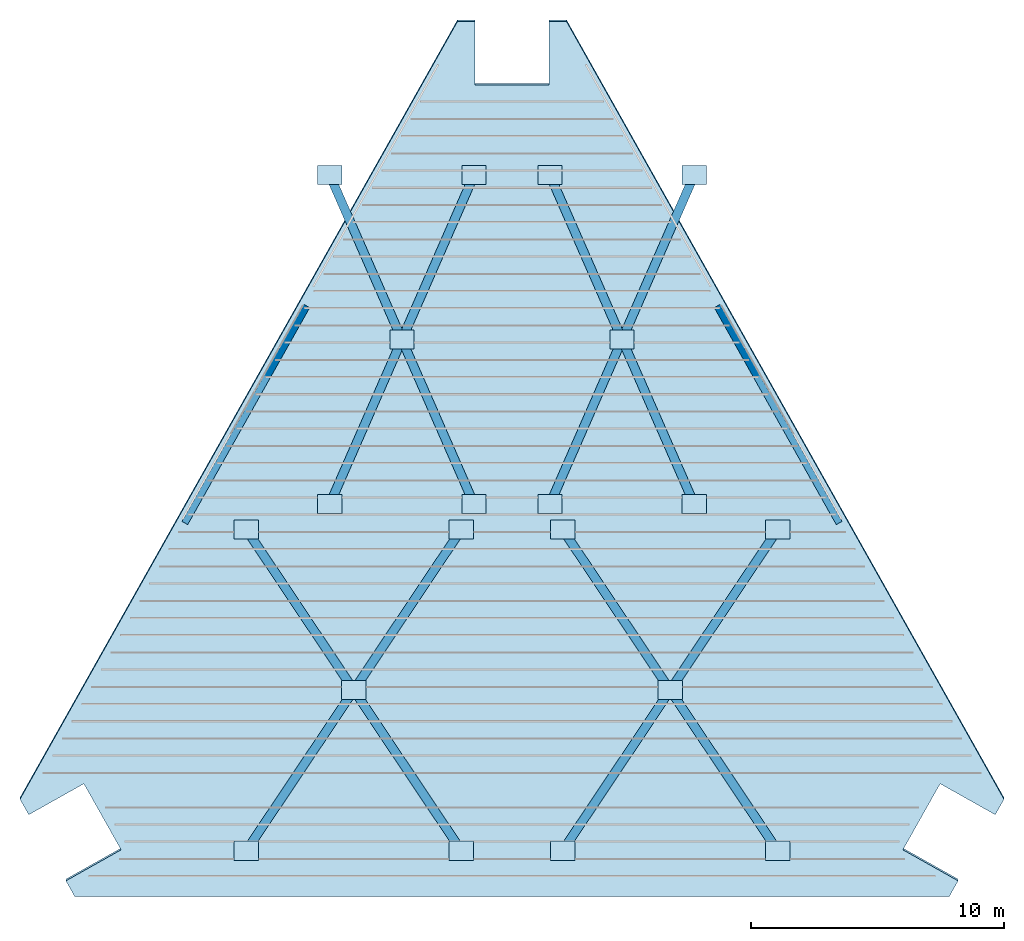
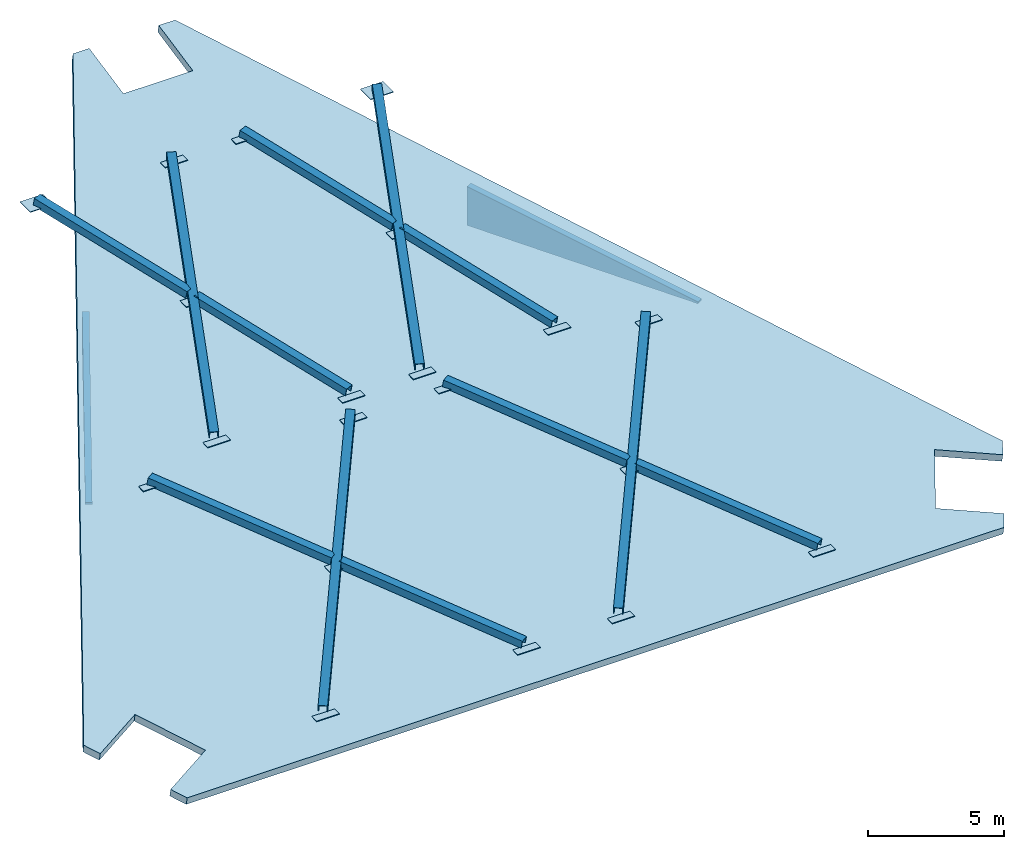
# One storey, part 1 of 2: 20 plates, 12 members, 2 walls, 1 slab.
"""IFC4 building model written with IfcOpenShell, lengths in metres."""

from ifc_helpers import new_model, si_unit, direction, frame, origin, origin_2d, place, context, subcontext, project, spatial, polyline, rectangle, hollow_rectangle, outline, extrude, material, layer, layer_set, material_profile, profile_set, type_object, element, save


model = new_model("IFC4")

# Units and contexts
model_context = context("Model", 3, precision=1e-05, world=origin(), true_north=direction((0.0, 1.0)))
body_context = subcontext(model_context, "Body", "Model", "MODEL_VIEW")
ifc_project = project(units=[si_unit("LENGTHUNIT", "METRE"), si_unit("AREAUNIT", "SQUARE_METRE"), si_unit("VOLUMEUNIT", "CUBIC_METRE"), si_unit("PLANEANGLEUNIT", "RADIAN"), si_unit("MASSUNIT", "GRAM", prefix="KILO")], contexts=[model_context])

# Site, building, storey
site_placement = place(None, origin())
site = spatial("IfcSite", under=ifc_project, at=site_placement, CompositionType="ELEMENT")
building_placement = place(site_placement, origin())
building = spatial("IfcBuilding", under=site, at=building_placement, Name="Quenlor Broadcast Tower", CompositionType="ELEMENT")
storey_placement = place(building_placement, frame((0.0, 0.0, 290.10009765625)))
storey = spatial("IfcBuildingStorey", under=building, at=storey_placement, Name="RF", CompositionType="ELEMENT", Elevation=290.10009765625)

# Members
ifc_material_1 = material(Name="Steel S355", Category="steel")
ifc_material_profile = material_profile(ifc_material_1, hollow_rectangle(XDim=0.35009765625, YDim=0.35009765625, WallThickness=0.02001953125, at=origin_2d()))
ifc_profile_set = profile_set([ifc_material_profile], Name="Steel S355 RHS350x350x20")
member_type = type_object("IfcMemberType", Name="Crown Sloped Raking Chord Steel S355 RHS350x20", PredefinedType="CHORD", material=ifc_profile_set)
member_1_placement = place(storey_placement, frame((-10.5, -15.199951171875, 0.506103515625), z_axis=(0.548426207043, 0.819410123626, 0.166720558805), x_axis=(-0.831041221798, 0.556210830237, 0.0)))
element("IfcMember", 1, at=member_1_placement, inside=storey, type_object=member_type, Name="RF Sloped Roof Diamond Lattice Rib S1A", PredefinedType="CHORD", context=body_context, shape_type="SweptSolid", body=[
    extrude(hollow_rectangle(XDim=0.35009765625, YDim=0.35009765625, WallThickness=0.02001953125, at=origin_2d()), origin(), (0.0, 0.0, 1.0), 15.498779296875),
])
member_2_placement = place(storey_placement, frame((-2.0, -15.199951171875, 0.506103515625), z_axis=(-0.548441910433, 0.819397756029, 0.166729686303), x_axis=(-0.831029979455, -0.556227627188, 0.0)))
element("IfcMember", 2, at=member_2_placement, inside=storey, type_object=member_type, Name="RF Sloped Roof Diamond Lattice Rib S1B1", PredefinedType="CHORD", context=body_context, shape_type="SweptSolid", body=[
    extrude(hollow_rectangle(XDim=0.35009765625, YDim=0.35009765625, WallThickness=0.02001953125, at=origin_2d()), origin(), (0.0, 0.0, 1.0), 7.58935546875),
])
member_3_placement = place(storey_placement, frame((-6.337646484375, -8.718994140625, 1.82470703125), z_axis=(-0.548427454421, 0.819408325795, 0.166725291587), x_axis=(-0.831040072939, -0.556212546757, 0.0)))
element("IfcMember", 3, at=member_3_placement, inside=storey, type_object=member_type, Name="RF Sloped Roof Diamond Lattice Rib S1B2", PredefinedType="CHORD", context=body_context, shape_type="SweptSolid", body=[
    extrude(hollow_rectangle(XDim=0.35009765625, YDim=0.35009765625, WallThickness=0.02001953125, at=origin_2d()), origin(), (0.0, 0.0, 1.0), 7.589599609375),
])
member_4_placement = place(storey_placement, frame((2.0, -15.199951171875, 0.506103515625), z_axis=(0.548426207043, 0.819410123626, 0.166720558805), x_axis=(-0.831041221798, 0.556210830237, 0.0)))
element("IfcMember", 4, at=member_4_placement, inside=storey, type_object=member_type, Name="RF Sloped Roof Diamond Lattice Rib S2A", PredefinedType="CHORD", context=body_context, shape_type="SweptSolid", body=[
    extrude(hollow_rectangle(XDim=0.35009765625, YDim=0.35009765625, WallThickness=0.02001953125, at=origin_2d()), origin(), (0.0, 0.0, 1.0), 15.498779296875),
])
member_5_placement = place(storey_placement, frame((10.5, -15.199951171875, 0.506103515625), z_axis=(-0.548441910433, 0.819397756029, 0.166729686303), x_axis=(-0.831029979455, -0.556227627188, 0.0)))
element("IfcMember", 5, at=member_5_placement, inside=storey, type_object=member_type, Name="RF Sloped Roof Diamond Lattice Rib S2B1", PredefinedType="CHORD", context=body_context, shape_type="SweptSolid", body=[
    extrude(hollow_rectangle(XDim=0.35009765625, YDim=0.35009765625, WallThickness=0.02001953125, at=origin_2d()), origin(), (0.0, 0.0, 1.0), 7.58935546875),
])
member_6_placement = place(storey_placement, frame((6.162353515625, -8.718994140625, 1.82470703125), z_axis=(-0.548427454421, 0.819408325795, 0.166725291587), x_axis=(-0.831040072939, -0.556212546757, 0.0)))
element("IfcMember", 6, at=member_6_placement, inside=storey, type_object=member_type, Name="RF Sloped Roof Diamond Lattice Rib S2B2", PredefinedType="CHORD", context=body_context, shape_type="SweptSolid", body=[
    extrude(hollow_rectangle(XDim=0.35009765625, YDim=0.35009765625, WallThickness=0.02001953125, at=origin_2d()), origin(), (0.0, 0.0, 1.0), 7.589599609375),
])
member_7_placement = place(storey_placement, frame((-7.199951171875, -1.5, 3.29345703125), z_axis=(0.394761215957, 0.900340310416, 0.183169068937), x_axis=(-0.91583493051, 0.401554952724, 0.0)))
element("IfcMember", 7, at=member_7_placement, inside=storey, type_object=member_type, Name="RF Sloped Roof Diamond Lattice Rib N1A", PredefinedType="CHORD", context=body_context, shape_type="SweptSolid", body=[
    extrude(hollow_rectangle(XDim=0.35009765625, YDim=0.35009765625, WallThickness=0.02001953125, at=origin_2d()), origin(), (0.0, 0.0, 1.0), 14.43896484375),
])
for number, where, z_axis, x_axis, name in (
    (8, (-1.5, -1.5, 3.29345703125), (-0.394767935438, 0.900340642242, 0.183152955416), (-0.915832471256, -0.40156056155, 0.0), "RF Sloped Roof Diamond Lattice Rib N1B1"),
    (9, (-4.4130859375, 5.14404296875, 4.645263671875), (-0.394767935438, 0.900340642242, 0.183152955416), (-0.915832471256, -0.40156056155, 0.0), "RF Sloped Roof Diamond Lattice Rib N1B2"),
):
    element("IfcMember", number, at=place(storey_placement, frame(where, z_axis=z_axis, x_axis=x_axis)), inside=storey, type_object=member_type, Name=name, PredefinedType="CHORD", context=body_context, shape_type="SweptSolid", body=[
        extrude(hollow_rectangle(XDim=0.35009765625, YDim=0.35009765625, WallThickness=0.02001953125, at=origin_2d()), origin(), (0.0, 0.0, 1.0), 7.0595703125),
    ])
member_8_placement = place(storey_placement, frame((1.5, -1.5, 3.29345703125), z_axis=(0.394761215957, 0.900340310416, 0.183169068937), x_axis=(-0.91583493051, 0.401554952724, 0.0)))
element("IfcMember", 10, at=member_8_placement, inside=storey, type_object=member_type, Name="RF Sloped Roof Diamond Lattice Rib N2A", PredefinedType="CHORD", context=body_context, shape_type="SweptSolid", body=[
    extrude(hollow_rectangle(XDim=0.35009765625, YDim=0.35009765625, WallThickness=0.02001953125, at=origin_2d()), origin(), (0.0, 0.0, 1.0), 14.43896484375),
])
for number, where, z_axis, x_axis, name in (
    (11, (7.199951171875, -1.5, 3.29345703125), (-0.394767935438, 0.900340642242, 0.183152955416), (-0.915832471256, -0.40156056155, 0.0), "RF Sloped Roof Diamond Lattice Rib N2B1"),
    (12, (4.286865234375, 5.14404296875, 4.645263671875), (-0.394767935438, 0.900340642242, 0.183152955416), (-0.915832471256, -0.40156056155, 0.0), "RF Sloped Roof Diamond Lattice Rib N2B2"),
):
    element("IfcMember", number, at=place(storey_placement, frame(where, z_axis=z_axis, x_axis=x_axis)), inside=storey, type_object=member_type, Name=name, PredefinedType="CHORD", context=body_context, shape_type="SweptSolid", body=[
        extrude(hollow_rectangle(XDim=0.35009765625, YDim=0.35009765625, WallThickness=0.02001953125, at=origin_2d()), origin(), (0.0, 0.0, 1.0), 7.0595703125),
    ])

# Slab
ifc_material_2 = material(Name="Concrete C50/60", Category="concrete")
ifc_layer_1 = layer(ifc_material_2, 0.340087890625)
ifc_layer_set_1 = layer_set([ifc_layer_1], Name="Sloped Crown Concrete C50/60 Roof Slab 340")
slab_type = type_object("IfcSlabType", Name="Sloped Crown Concrete C50/60 Roof Slab 340", PredefinedType="ROOF", material=ifc_layer_set_1)
slab_placement = place(storey_placement, frame((17.280029296875, -17.0, 0.0), z_axis=(0.0, -0.199366285097, 0.979925040177), x_axis=(0.48252058977, 0.858301278658, 0.174621864331)))
element("IfcSlab", 13, at=slab_placement, inside=storey, type_object=slab_type, Name="Sloped Crown Roof Slab RF", PredefinedType="ROOF", context=body_context, shape_type="SweptSolid", body=[
    extrude(outline(polyline([(0.0, 0.0), (0.7159466180282349, -1.734723475976807e-17), (0.7601232779973701, 2.5117772555848124), (3.8028995283304203, 2.511151820301131), (3.758631125029037, -0.0009547122943451558), (4.474577743057272, -0.0009547122943448921), (23.594984602368044, 30.261043801288867), (23.26148465372557, 30.86642206790501), (21.026928394727605, 29.635415871101653), (19.609524162277495, 32.208326963975345), (21.84408042127546, 33.4393331607787), (21.510580472632984, 34.044711427394844), (-14.285766241828444, 34.05333695678159), (-14.668330714092566, 33.448172529185804), (-12.521280932031669, 32.143252548500406), (-14.146652949914609, 29.570966890910395), (-16.29337538288653, 30.875788470565748), (-16.675939855150656, 30.27062404296996), (0.0, 0.0)])), origin(), (0.0, 0.0, -1.0), 0.340087890625),
])

# Plates
ifc_material_3 = material(Name="Steel S355", Category="steel")
ifc_layer_2 = layer(ifc_material_3, 0.030029296875)
ifc_layer_set_2 = layer_set([ifc_layer_2], Name="Sloped Crown Ridge Steel S355 Gusset Plate 960x760x30")
plate_type = type_object("IfcPlateType", Name="Sloped Crown Ridge Steel S355 Gusset Plate 960x760x30", PredefinedType="SHEET", material=ifc_layer_set_2)
for number, where, z_axis, x_axis, name in (
    (14, (-10.5, -15.199951171875, 0.3310546875), (0.0, 0.0, 1.0), (1.0, 0.0, 0.0), "RF Sloped Roof Lattice Gusset S1-E1"),
    (15, (-2.0, -2.5, 2.9150390625), (0.0, 0.0, 1.0), (1.0, 0.0, 0.0), "RF Sloped Roof Lattice Gusset S1-E2"),
    (16, (-2.0, -15.199951171875, 0.3310546875), (0.0, 0.0, 1.0), (1.0, 0.0, 0.0), "RF Sloped Roof Lattice Gusset S1-E3"),
    (17, (-10.5, -2.5, 2.9150390625), (0.0, 0.0, 1.0), (1.0, 0.0, 0.0), "RF Sloped Roof Lattice Gusset S1-E4"),
    (18, (-6.25, -8.85009765625, 1.64306640625), (0.0, 0.0, 1.0), (1.0, 0.0, 0.0), "RF Sloped Roof Lattice Gusset S1-MID"),
    (19, (2.0, -15.199951171875, 0.3310546875), (0.0, 0.0, 1.0), (1.0, 0.0, 0.0), "RF Sloped Roof Lattice Gusset S2-E1"),
    (20, (10.5, -2.5, 2.9150390625), (0.0, 0.0, 1.0), (1.0, 0.0, 0.0), "RF Sloped Roof Lattice Gusset S2-E2"),
    (21, (10.5, -15.199951171875, 0.3310546875), (0.0, 0.0, 1.0), (1.0, 0.0, 0.0), "RF Sloped Roof Lattice Gusset S2-E3"),
    (22, (2.0, -2.5, 2.9150390625), (0.0, 0.0, 1.0), (1.0, 0.0, 0.0), "RF Sloped Roof Lattice Gusset S2-E4"),
    (23, (6.25, -8.85009765625, 1.64306640625), (0.0, 0.0, 1.0), (1.0, 0.0, 0.0), "RF Sloped Roof Lattice Gusset S2-MID"),
    (24, (-7.199951171875, -1.5, 3.1181640625), (0.0, 0.0, 1.0), (1.0, 0.0, 0.0), "RF Sloped Roof Lattice Gusset N1-E1"),
    (25, (-1.5, 11.5, 5.76318359375), (0.0, 0.0, 1.0), (1.0, 0.0, 0.0), "RF Sloped Roof Lattice Gusset N1-E2"),
    (26, (-1.5, -1.5, 3.1181640625), (0.0, 0.0, 1.0), (1.0, 0.0, 0.0), "RF Sloped Roof Lattice Gusset N1-E3"),
    (27, (-7.199951171875, 11.5, 5.76318359375), (0.0, 0.0, 1.0), (1.0, 0.0, 0.0), "RF Sloped Roof Lattice Gusset N1-E4"),
    (28, (-4.35009765625, 5.0, 4.4609375), (0.0, 0.0, 1.0), (1.0, 0.0, 0.0), "RF Sloped Roof Lattice Gusset N1-MID"),
    (29, (1.5, -1.5, 3.1181640625), (0.0, 0.0, 1.0), (1.0, 0.0, 0.0), "RF Sloped Roof Lattice Gusset N2-E1"),
    (30, (7.199951171875, 11.5, 5.76318359375), (0.0, 0.0, 1.0), (1.0, 0.0, 0.0), "RF Sloped Roof Lattice Gusset N2-E2"),
    (31, (7.199951171875, -1.5, 3.1181640625), (0.0, 0.0, 1.0), (1.0, 0.0, 0.0), "RF Sloped Roof Lattice Gusset N2-E3"),
    (32, (1.5, 11.5, 5.76318359375), (0.0, 0.0, 1.0), (1.0, 0.0, 0.0), "RF Sloped Roof Lattice Gusset N2-E4"),
    (33, (4.35009765625, 5.0, 4.4609375), (0.0, 0.0, 1.0), (1.0, 0.0, 0.0), "RF Sloped Roof Lattice Gusset N2-MID"),
):
    element("IfcPlate", number, at=place(storey_placement, frame(where, z_axis=z_axis, x_axis=x_axis)), inside=storey, type_object=plate_type, Name=name, PredefinedType="SHEET", context=body_context, shape_type="SweptSolid", body=[
        extrude(rectangle(XDim=0.9599609375, YDim=0.760009765625, at=origin_2d()), origin(), (0.0, 0.0, 1.0), 0.030029296875),
    ])

# Walls
ifc_material_4 = material(Name="Precast concrete C40/50", Category="concrete")
ifc_layer_3 = layer(ifc_material_4, 0.260009765625)
ifc_layer_set_3 = layer_set([ifc_layer_3], Name="Terracotta Precast Concrete C40/50 Upper Wall 260")
wall_type = type_object("IfcWallType", Name="Terracotta Precast Concrete C40/50 Upper Wall 260", PredefinedType="STANDARD", material=ifc_layer_set_3)
wall_1_placement = place(storey_placement, frame((8.106201171875, 6.326171875, 2.65185546875), z_axis=(0.0, 0.0, 1.0), x_axis=(0.490248273826, -0.871582830264, 0.0)))
element("IfcWall", 34, at=wall_1_placement, inside=storey, type_object=wall_type, Name="RF Exterior Wall RF-GBL-NE", PredefinedType="STANDARD", context=body_context, shape_type="SweptSolid", body=[
    extrude(outline(polyline([(0.0, 0.0), (9.833984375, 0.0), (9.833984375, 0.080078125), (0.0, 1.743896484375), (0.0, 0.0)])), frame((0.0, 0.1298828125, 0.0), z_axis=(0.0, -1.0, 0.0), x_axis=(1.0, 0.0, 0.0)), (0.0, 0.0, 1.0), 0.260009765625),
])
wall_2_placement = place(storey_placement, frame((-12.92724609375, -2.244873046875, 2.65185546875), z_axis=(0.0, 0.0, 1.0), x_axis=(0.490248273826, 0.871582830264, 0.0)))
element("IfcWall", 35, at=wall_2_placement, inside=storey, type_object=wall_type, Name="RF Exterior Wall RF-GBL-NW", PredefinedType="STANDARD", context=body_context, shape_type="SweptSolid", body=[
    extrude(outline(polyline([(0.0, 0.0), (9.833984375, 0.0), (9.833984375, 1.743896484375), (0.0, 0.080078125), (0.0, 0.0)])), frame((0.0, 0.1298828125, 0.0), z_axis=(0.0, -1.0, 0.0), x_axis=(1.0, 0.0, 0.0)), (0.0, 0.0, 1.0), 0.260009765625),
])

save(model, "model.ifc")
